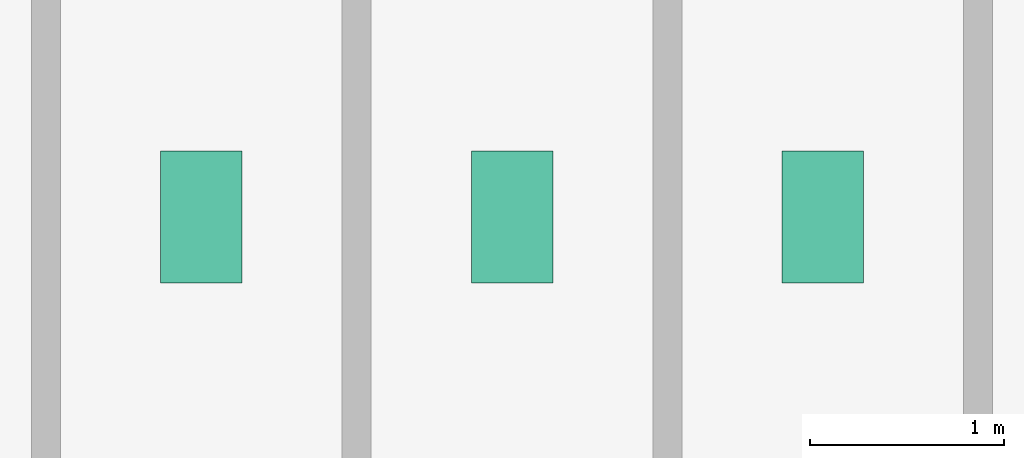
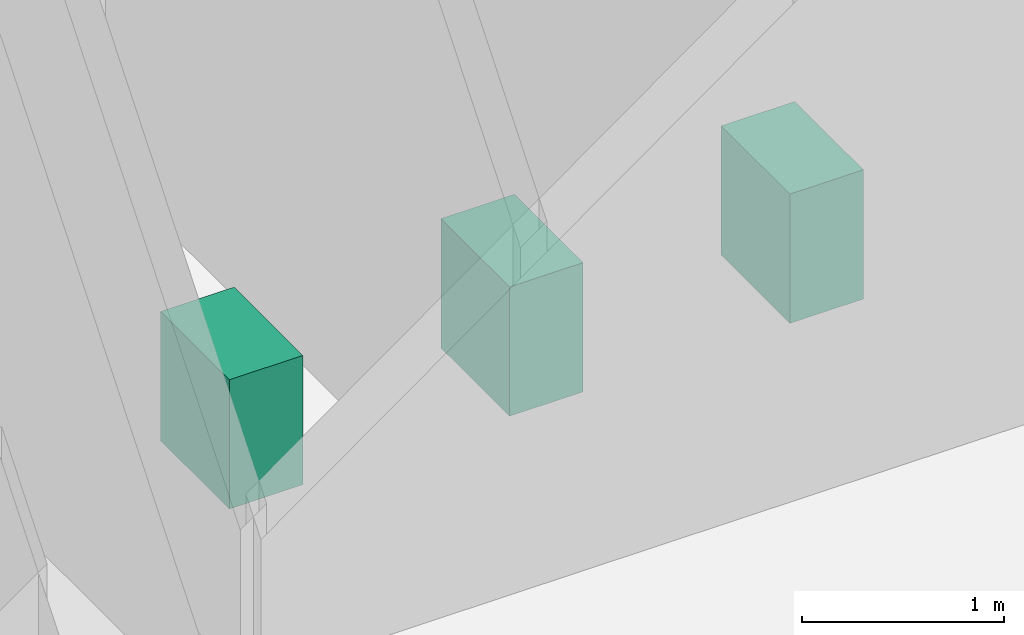
# One storey, part 22 of 22: 3 sanitary terminals.
"""IFC4 building model written with IfcOpenShell, lengths in metres."""

from ifc_helpers import new_model, si_unit, derived_unit, direction, frame, origin, origin_2d, place, context, subcontext, project, spatial, rectangle, extrude, source, transform, mapped, material, type_object, element, save


model = new_model("IFC4")

# Units and contexts
model_context = context("Model", 3, precision=1e-05, world=origin(), true_north=direction((0.0, 1.0)))
body_context = subcontext(model_context, "Body", "Model", "MODEL_VIEW")
ifc_project = project(units=[si_unit("LENGTHUNIT", "METRE"), si_unit("AREAUNIT", "SQUARE_METRE"), si_unit("VOLUMEUNIT", "CUBIC_METRE"), si_unit("PLANEANGLEUNIT", "RADIAN"), si_unit("MASSUNIT", "GRAM", prefix="KILO"), derived_unit("THERMALTRANSMITTANCEUNIT", [(si_unit("POWERUNIT", "WATT"), 1), (si_unit("LENGTHUNIT", "METRE"), -2), (si_unit("THERMODYNAMICTEMPERATUREUNIT", "KELVIN"), -1)])], contexts=[model_context])

# Site, building, storey
site_placement = place(None, origin())
site = spatial("IfcSite", under=ifc_project, at=site_placement, CompositionType="ELEMENT")
building_placement = place(site_placement, origin())
building = spatial("IfcBuilding", under=site, at=building_placement, Name="Skarnbrae Concourse Arena and Tower", CompositionType="ELEMENT")
storey_placement = place(building_placement, frame((0.0, 0.0, 232.39990234375)))
storey = spatial("IfcBuildingStorey", under=building, at=storey_placement, Name="L60", CompositionType="ELEMENT", Elevation=232.39990234375)

# Sanitary terminals
ifc_material = material(Name="Vitreous china sanitaryware", Category="other")
sanitary_terminal_type = type_object("IfcSanitaryTerminalType", Name="SAN-WC-VITREOUS", PredefinedType="TOILETPAN", material=ifc_material)
shared_shape = source(origin(), body_context, "Body", "SweptSolid", [
    extrude(rectangle(XDim=0.419921875, YDim=0.679931640625, at=origin_2d()), origin(), (0.0, 0.0, 1.0), 0.780029296875),
])
for number, where, z_axis, x_axis, name in (
    (1, (35.0, 11.39990234375, 0.0), (0.0, 0.0, 1.0), (1.0, 0.0, 0.0), "L60 Washroom WC fixture 1"),
    (2, (36.60009765625, 11.39990234375, 0.0), (0.0, 0.0, 1.0), (1.0, 0.0, 0.0), "L60 Washroom WC fixture 2"),
    (3, (38.199951171875, 11.39990234375, 0.0), (0.0, 0.0, 1.0), (1.0, 0.0, 0.0), "L60 Washroom WC fixture 3"),
):
    element("IfcSanitaryTerminal", number, at=place(storey_placement, frame(where, z_axis=z_axis, x_axis=x_axis)), inside=storey, type_object=sanitary_terminal_type, Name=name, PredefinedType="TOILETPAN", context=body_context, shape_type="MappedRepresentation", body=[
        mapped(shared_shape, transform((0.0, 0.0, 0.0))),
    ])

save(model, "model.ifc")
